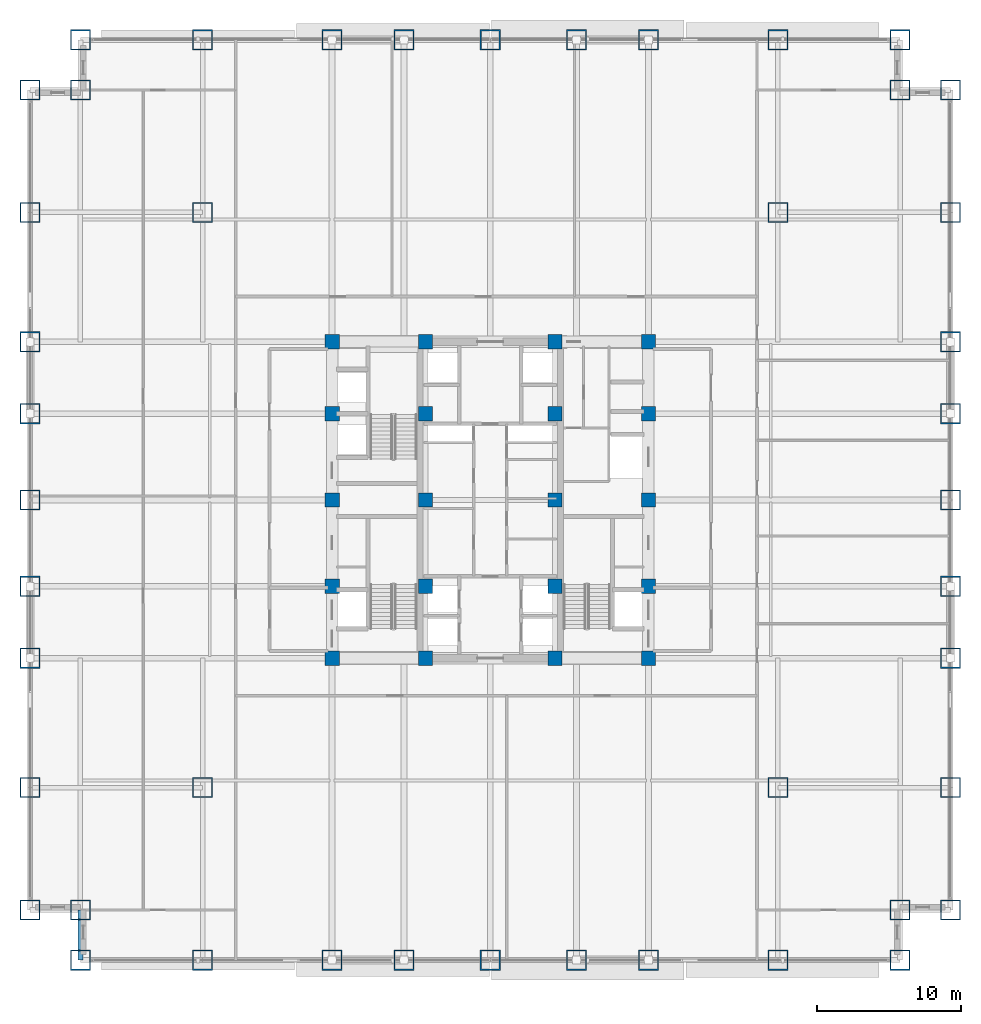
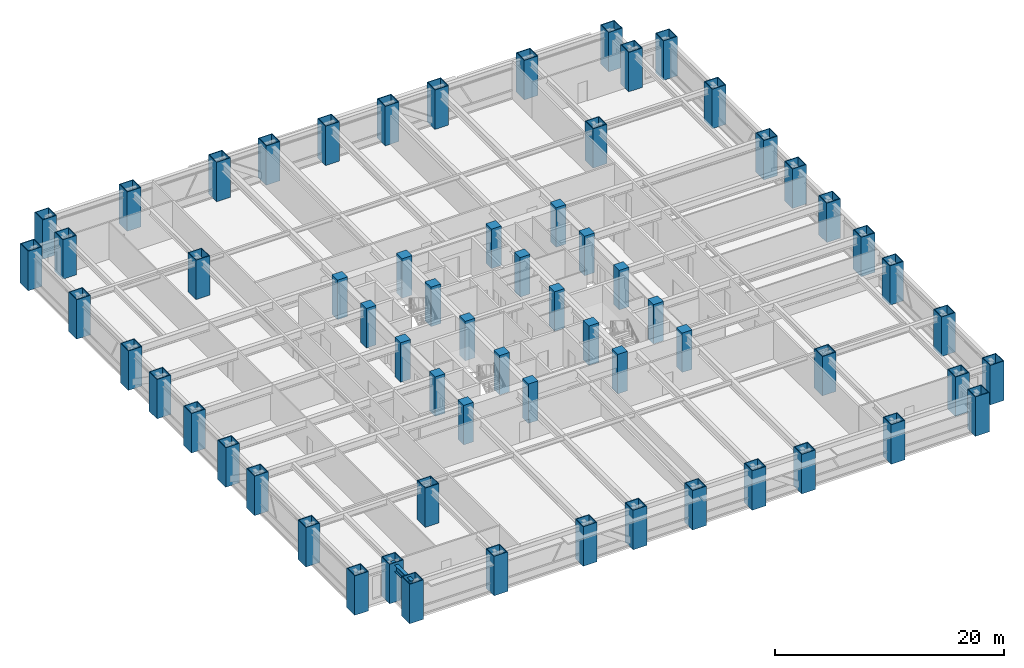
# One storey, part 1 of 32: 64 columns, 1 beam.
"""IFC4 building model written with IfcOpenShell, lengths in metres."""

import ifcopenshell
import ifcopenshell.guid

model = None  # the IFC model being written
_history = None  # IfcOwnerHistory: only IFC2X3 demands one
_inside = {}  # id of a spatial element -> (the spatial element, [elements in it])
_under = {}  # id of a project, library or spatial element -> (it, [spatial elements below it])
_declared = {}  # id of a project -> (the project, [libraries it declares])
_typed = {}  # id of a type object -> (the type object, [elements of that type])
_made_of = {}  # id of a material, layer set ... -> (it, [elements and type objects made of it])


def new_model(schema):
    """Start an empty IFC model of exactly this schema.

    Asked for "IFC4X3", IfcOpenShell would pick the latest addendum, in which some entities
    have other attributes; the version numbers below select the first issue.
    IFC2X3 requires an IfcOwnerHistory on every rooted entity: one is made here for all.
    """
    global model, _history
    if schema == "IFC4X3":
        model = ifcopenshell.file(schema_version=(4, 3, 0, 0))
    else:
        model = ifcopenshell.file(schema=schema)
    _inside.clear()
    _under.clear()
    _declared.clear()
    _typed.clear()
    _made_of.clear()
    _history = None
    if model.schema == "IFC2X3":
        org = make("IfcOrganization", Name="unknown")
        user = make(
            "IfcPersonAndOrganization",
            ThePerson=make("IfcPerson", FamilyName="unknown"),
            TheOrganization=org,
        )
        app = make(
            "IfcApplication",
            ApplicationDeveloper=org,
            Version="unknown",
            ApplicationFullName="unknown",
            ApplicationIdentifier="unknown",
        )
        _history = make(
            "IfcOwnerHistory",
            OwningUser=user,
            OwningApplication=app,
            ChangeAction="ADDED",
            CreationDate=0,
        )
    return model


def make(cls, **values):
    """One entity of the class cls with the attributes given. An attribute that is None is left unset."""
    return model.create_entity(
        cls, **{name: value for name, value in values.items() if value is not None}
    )


def rooted(cls, **values):
    """An entity with a GlobalId (a new one), such as an element, a storey or a relation."""
    return make(cls, GlobalId=ifcopenshell.guid.new(), OwnerHistory=_history, **values)


def si_unit(unit_type, name, prefix=None):
    """IfcSIUnit, for example si_unit("LENGTHUNIT", "METRE", prefix="MILLI")."""
    return make("IfcSIUnit", UnitType=unit_type, Prefix=prefix, Name=name)


def assignment(units):
    """IfcUnitAssignment: the units of a project."""
    return None if units is None else make("IfcUnitAssignment", Units=units)


def point(xyz):
    """IfcCartesianPoint."""
    return None if xyz is None else make("IfcCartesianPoint", Coordinates=xyz)


def direction(xyz):
    """IfcDirection."""
    return None if xyz is None else make("IfcDirection", DirectionRatios=xyz)


def frame(location, z_axis=None, x_axis=None):
    """IfcAxis2Placement3D, a coordinate frame: its origin and axes. An axis left out is left unset."""
    return make(
        "IfcAxis2Placement3D",
        Location=point(location),
        Axis=direction(z_axis),
        RefDirection=direction(x_axis),
    )


def frame_2d(location, x_axis=None):
    """IfcAxis2Placement2D, a coordinate frame in the plane: its origin and x axis."""
    return make(
        "IfcAxis2Placement2D", Location=point(location), RefDirection=direction(x_axis)
    )


def origin():
    """The frame at (0, 0, 0) with its axes left unset."""
    return frame((0.0, 0.0, 0.0))


def origin_2d():
    """The frame at (0, 0) in the plane with its x axis left unset."""
    return frame_2d((0.0, 0.0))


def place(relative_to, where):
    """IfcLocalPlacement: puts the frame where relative to a parent placement (None: the world)."""
    return make(
        "IfcLocalPlacement", PlacementRelTo=relative_to, RelativePlacement=where
    )


def context(
    kind, dimensions, precision=None, world=None, true_north=None, identifier=None
):
    """IfcGeometricRepresentationContext, for example the 3D "Model" context."""
    return make(
        "IfcGeometricRepresentationContext",
        ContextIdentifier=identifier,
        ContextType=kind,
        CoordinateSpaceDimension=dimensions,
        Precision=precision,
        WorldCoordinateSystem=world,
        TrueNorth=true_north,
    )


def subcontext(parent, identifier, kind, view, scale=None):
    """IfcGeometricRepresentationSubContext, for example "Body" below "Model"."""
    return make(
        "IfcGeometricRepresentationSubContext",
        ContextIdentifier=identifier,
        ContextType=kind,
        ParentContext=parent,
        TargetScale=scale,
        TargetView=view,
    )


def project(units=None, contexts=None):
    """IfcProject with its units and contexts."""
    return rooted(
        "IfcProject",
        Name="project",
        RepresentationContexts=contexts,
        UnitsInContext=assignment(units),
    )


def spatial(cls, under=None, at=None, **own):
    """A site, building, storey or space (cls), placed at a placement, below another one or the project."""
    s = rooted(cls, ObjectPlacement=at, **own)
    if under is not None:
        _under.setdefault(under.id(), (under, []))[1].append(s)
    return s


def profile(cls, at=None, kind="AREA", **sizes):
    """A parametric profile (cls). Its sizes go by their IFC names, for example OverallWidth=200.0."""
    return make(cls, ProfileType=kind, Position=at, **sizes)


def rectangle(**sizes):
    """IfcRectangleProfileDef."""
    return profile("IfcRectangleProfileDef", **sizes)


def hollow_rectangle(**sizes):
    """IfcRectangleHollowProfileDef."""
    return profile("IfcRectangleHollowProfileDef", **sizes)


def i_section(**sizes):
    """IfcIShapeProfileDef."""
    return profile("IfcIShapeProfileDef", **sizes)


def extrude(swept, where, along, depth):
    """IfcExtrudedAreaSolid: the profile swept, set in the frame where, extruded along a direction by depth."""
    return make(
        "IfcExtrudedAreaSolid",
        SweptArea=swept,
        Position=where,
        ExtrudedDirection=direction(along),
        Depth=depth,
    )


def shape(context_of_items, identifier, shape_type, items):
    """IfcShapeRepresentation: the items that make up one representation, for example the "Body"."""
    return make(
        "IfcShapeRepresentation",
        ContextOfItems=context_of_items,
        RepresentationIdentifier=identifier,
        RepresentationType=shape_type,
        Items=items,
    )


def source(mapping_origin, context_of_items, identifier, shape_type, items):
    """IfcRepresentationMap: a shape defined once, which mapped items show again and again."""
    return make(
        "IfcRepresentationMap",
        MappingOrigin=mapping_origin,
        MappedRepresentation=shape(context_of_items, identifier, shape_type, items),
    )


def transform(
    local_origin,
    x_axis=None,
    y_axis=None,
    z_axis=None,
    scale=None,
    scale2=None,
    scale3=None,
    uniform=True,
):
    """IfcCartesianTransformationOperator3D, or its non-uniform kind. x_axis, y_axis, z_axis: its Axis1, 2, 3."""
    if uniform:
        return make(
            "IfcCartesianTransformationOperator3D",
            Axis1=direction(x_axis),
            Axis2=direction(y_axis),
            LocalOrigin=point(local_origin),
            Scale=scale,
            Axis3=direction(z_axis),
        )
    return make(
        "IfcCartesianTransformationOperator3DnonUniform",
        Axis1=direction(x_axis),
        Axis2=direction(y_axis),
        LocalOrigin=point(local_origin),
        Scale=scale,
        Axis3=direction(z_axis),
        Scale2=scale2,
        Scale3=scale3,
    )


def mapped(mapping_source, mapping_target):
    """IfcMappedItem: shows the shape of a source again, moved by a transform."""
    return make(
        "IfcMappedItem", MappingSource=mapping_source, MappingTarget=mapping_target
    )


def material(Name=None, Category=None):
    """IfcMaterial."""
    return make("IfcMaterial", Name=Name, Category=Category)


def material_profile(
    of_material, cross_section, Name=None, Category=None, Priority=None
):
    """IfcMaterialProfile: a cross section and its material."""
    return make(
        "IfcMaterialProfile",
        Name=Name,
        Material=of_material,
        Profile=cross_section,
        Priority=Priority,
        Category=Category,
    )


def profile_set(profiles, Name=None, composite=None):
    """IfcMaterialProfileSet."""
    return make(
        "IfcMaterialProfileSet",
        Name=Name,
        MaterialProfiles=profiles,
        CompositeProfile=composite,
    )


def made_of(thing, what):
    """Note that an element or type object is made of a material, layer set ...; save() writes the relation."""
    if what is not None:
        _made_of.setdefault(what.id(), (what, []))[1].append(thing)
    return thing


def type_object(cls, material=None, **own):
    """A type object (cls), such as IfcWallType, which elements share."""
    return made_of(rooted(cls, **own), material)


def element(
    cls,
    number,
    at=None,
    inside=None,
    cuts=None,
    type_object=None,
    material=None,
    context=None,
    identifier="Body",
    shape_type=None,
    held_by="IfcProductDefinitionShape",
    body=None,
    shapes=None,
    **own,
):
    """One element of the class cls, such as IfcWall. Its Tag is "e" and its number.

    at: its placement. inside: the storey or other place that contains it. cuts: it is an
    opening in that element (IfcRelVoidsElement). A single representation is given by context,
    identifier, shape_type and body (its items); several are given by shapes. held_by: the class
    of the entity that holds the representations. save() writes the other relations.
    """
    e = rooted(cls, Tag="e%d" % number, ObjectPlacement=at, **own)
    if body is not None:
        shapes = [shape(context, identifier, shape_type, body)]
    if shapes is not None:
        e.Representation = make(held_by, Representations=shapes)
    if inside is not None:
        _inside.setdefault(inside.id(), (inside, []))[1].append(e)
    if cuts is not None:
        rooted(
            "IfcRelVoidsElement", RelatingBuildingElement=cuts, RelatedOpeningElement=e
        )
    if type_object is not None:
        _typed.setdefault(type_object.id(), (type_object, []))[1].append(e)
    return made_of(e, material)


def aggregate(whole, parts):
    """IfcRelAggregates: a whole, such as a stair, and the parts it consists of."""
    return rooted("IfcRelAggregates", RelatingObject=whole, RelatedObjects=parts)


def save(model, path):
    """Write the relations noted so far, then the file.

    IfcRelAggregates (storeys below a building ...), IfcRelContainedInSpatialStructure (elements
    in a storey), IfcRelDefinesByType, IfcRelAssociatesMaterial and IfcRelDeclares: one each for
    every whole, place, type object, material and project.
    """
    for whole, parts in _under.values():
        aggregate(whole, parts)
    for where, things in _inside.values():
        rooted(
            "IfcRelContainedInSpatialStructure",
            RelatedElements=things,
            RelatingStructure=where,
        )
    for kind, things in _typed.values():
        rooted("IfcRelDefinesByType", RelatedObjects=things, RelatingType=kind)
    for what, things in _made_of.values():
        rooted("IfcRelAssociatesMaterial", RelatedObjects=things, RelatingMaterial=what)
    for by, libraries in _declared.values():
        rooted("IfcRelDeclares", RelatingContext=by, RelatedDefinitions=libraries)
    model.write(path)


model = new_model("IFC4")

# Units and contexts
model_context = context("Model", 3, precision=1e-05, world=origin(), true_north=direction((0.0, 1.0)))
body_context = subcontext(model_context, "Body", "Model", "MODEL_VIEW")
ifc_project = project(units=[si_unit("LENGTHUNIT", "METRE"), si_unit("AREAUNIT", "SQUARE_METRE"), si_unit("VOLUMEUNIT", "CUBIC_METRE"), si_unit("PLANEANGLEUNIT", "RADIAN"), si_unit("MASSUNIT", "GRAM", prefix="KILO")], contexts=[model_context])

# Site, building, storey
site_placement = place(None, origin())
site = spatial("IfcSite", under=ifc_project, at=site_placement, CompositionType="ELEMENT")
building_placement = place(site_placement, origin())
building = spatial("IfcBuilding", under=site, at=building_placement, Name="Khorayat Bourse Tower", CompositionType="ELEMENT")
storey_placement = place(building_placement, frame((0.0, 0.0, 78.800048828125)))
storey = spatial("IfcBuildingStorey", under=building, at=storey_placement, Name="L17", CompositionType="ELEMENT", Elevation=78.800048828125)

# Columns
ifc_material_1 = material(Name="Steel EN 10025-4 S460M", Category="steel")
ifc_material_profile_1 = material_profile(ifc_material_1, hollow_rectangle(XDim=1.39990234375, YDim=1.39990234375, WallThickness=0.074951171875, at=origin_2d()), Name="BOX 1400x1400x75")
ifc_profile_set_1 = profile_set([ifc_material_profile_1], Name="Steel EN 10025-4 S460M")
column_type_1 = type_object("IfcColumnType", Name="COL-TUBE-1400", PredefinedType="COLUMN", material=ifc_profile_set_1)
shared_shape_1 = source(origin(), body_context, "Body", "SweptSolid", [
    extrude(hollow_rectangle(XDim=1.39990234375, YDim=1.39990234375, WallThickness=0.074951171875, at=origin_2d()), origin(), (0.0, 0.0, 1.0), 4.199951171875),
])
for number, where, z_axis, x_axis, name in (
    (1, (-32.0, -28.5, 0.0), (0.0, 0.0, 1.0), (1.0, 0.0, 0.0), "L17 Column 001"),
    (2, (-32.0, -20.0, 0.0), (0.0, 0.0, 1.0), (1.0, 0.0, 0.0), "L17 Column 002"),
    (3, (-32.0, -11.0, 0.0), (0.0, 0.0, 1.0), (1.0, 0.0, 0.0), "L17 Column 003"),
    (4, (-32.0, -6.0, 0.0), (0.0, 0.0, 1.0), (1.0, 0.0, 0.0), "L17 Column 004"),
    (5, (-32.0, 0.0, 0.0), (0.0, 0.0, 1.0), (1.0, 0.0, 0.0), "L17 Column 005"),
    (6, (-32.0, 6.0, 0.0), (0.0, 0.0, 1.0), (1.0, 0.0, 0.0), "L17 Column 006"),
    (7, (-32.0, 11.0, 0.0), (0.0, 0.0, 1.0), (1.0, 0.0, 0.0), "L17 Column 007"),
    (8, (-32.0, 20.0, 0.0), (0.0, 0.0, 1.0), (1.0, 0.0, 0.0), "L17 Column 008"),
    (9, (-32.0, 28.5, 0.0), (0.0, 0.0, 1.0), (1.0, 0.0, 0.0), "L17 Column 009"),
    (10, (-28.5, -32.0, 0.0), (0.0, 0.0, 1.0), (1.0, 0.0, 0.0), "L17 Column 010"),
    (11, (-28.5, -28.5, 0.0), (0.0, 0.0, 1.0), (1.0, 0.0, 0.0), "L17 Column 011"),
    (12, (-28.5, 28.5, 0.0), (0.0, 0.0, 1.0), (1.0, 0.0, 0.0), "L17 Column 012"),
    (13, (-28.5, 32.0, 0.0), (0.0, 0.0, 1.0), (1.0, 0.0, 0.0), "L17 Column 013"),
    (14, (-20.0, -32.0, 0.0), (0.0, 0.0, 1.0), (1.0, 0.0, 0.0), "L17 Column 014"),
    (15, (-20.0, -20.0, 0.0), (0.0, 0.0, 1.0), (1.0, 0.0, 0.0), "L17 Column 015"),
    (16, (-20.0, 20.0, 0.0), (0.0, 0.0, 1.0), (1.0, 0.0, 0.0), "L17 Column 016"),
    (17, (-20.0, 32.0, 0.0), (0.0, 0.0, 1.0), (1.0, 0.0, 0.0), "L17 Column 017"),
    (18, (-11.0, -32.0, 0.0), (0.0, 0.0, 1.0), (1.0, 0.0, 0.0), "L17 Column 018"),
    (19, (-11.0, 32.0, 0.0), (0.0, 0.0, 1.0), (1.0, 0.0, 0.0), "L17 Column 024"),
    (20, (-6.0, -32.0, 0.0), (0.0, 0.0, 1.0), (1.0, 0.0, 0.0), "L17 Column 025"),
    (21, (-6.0, 32.0, 0.0), (0.0, 0.0, 1.0), (1.0, 0.0, 0.0), "L17 Column 026"),
    (22, (0.0, -32.0, 0.0), (0.0, 0.0, 1.0), (1.0, 0.0, 0.0), "L17 Column 032"),
    (23, (0.0, 32.0, 0.0), (0.0, 0.0, 1.0), (1.0, 0.0, 0.0), "L17 Column 033"),
    (24, (6.0, -32.0, 0.0), (0.0, 0.0, 1.0), (1.0, 0.0, 0.0), "L17 Column 039"),
    (25, (6.0, 32.0, 0.0), (0.0, 0.0, 1.0), (1.0, 0.0, 0.0), "L17 Column 040"),
    (26, (11.0, -32.0, 0.0), (0.0, 0.0, 1.0), (1.0, 0.0, 0.0), "L17 Column 041"),
    (27, (11.0, 32.0, 0.0), (0.0, 0.0, 1.0), (1.0, 0.0, 0.0), "L17 Column 047"),
    (28, (20.0, -32.0, 0.0), (0.0, 0.0, 1.0), (1.0, 0.0, 0.0), "L17 Column 048"),
    (29, (20.0, -20.0, 0.0), (0.0, 0.0, 1.0), (1.0, 0.0, 0.0), "L17 Column 049"),
    (30, (20.0, 20.0, 0.0), (0.0, 0.0, 1.0), (1.0, 0.0, 0.0), "L17 Column 050"),
    (31, (20.0, 32.0, 0.0), (0.0, 0.0, 1.0), (1.0, 0.0, 0.0), "L17 Column 051"),
    (32, (28.5, -32.0, 0.0), (0.0, 0.0, 1.0), (1.0, 0.0, 0.0), "L17 Column 052"),
    (33, (28.5, -28.5, 0.0), (0.0, 0.0, 1.0), (1.0, 0.0, 0.0), "L17 Column 053"),
    (34, (28.5, 28.5, 0.0), (0.0, 0.0, 1.0), (1.0, 0.0, 0.0), "L17 Column 054"),
    (35, (28.5, 32.0, 0.0), (0.0, 0.0, 1.0), (1.0, 0.0, 0.0), "L17 Column 055"),
    (36, (32.0, -28.5, 0.0), (0.0, 0.0, 1.0), (1.0, 0.0, 0.0), "L17 Column 056"),
    (37, (32.0, -20.0, 0.0), (0.0, 0.0, 1.0), (1.0, 0.0, 0.0), "L17 Column 057"),
    (38, (32.0, -11.0, 0.0), (0.0, 0.0, 1.0), (1.0, 0.0, 0.0), "L17 Column 058"),
    (39, (32.0, -6.0, 0.0), (0.0, 0.0, 1.0), (1.0, 0.0, 0.0), "L17 Column 059"),
    (40, (32.0, 0.0, 0.0), (0.0, 0.0, 1.0), (1.0, 0.0, 0.0), "L17 Column 060"),
    (41, (32.0, 6.0, 0.0), (0.0, 0.0, 1.0), (1.0, 0.0, 0.0), "L17 Column 061"),
    (42, (32.0, 11.0, 0.0), (0.0, 0.0, 1.0), (1.0, 0.0, 0.0), "L17 Column 062"),
    (43, (32.0, 20.0, 0.0), (0.0, 0.0, 1.0), (1.0, 0.0, 0.0), "L17 Column 063"),
    (44, (32.0, 28.5, 0.0), (0.0, 0.0, 1.0), (1.0, 0.0, 0.0), "L17 Column 064"),
):
    element("IfcColumn", number, at=place(storey_placement, frame(where, z_axis=z_axis, x_axis=x_axis)), inside=storey, type_object=column_type_1, Name=name, PredefinedType="COLUMN", context=body_context, shape_type="MappedRepresentation", body=[
        mapped(shared_shape_1, transform((0.0, 0.0, 0.0), scale=1.0)),
    ])
ifc_material_2 = material(Name="Concrete C72/90", Category="concrete")
ifc_material_profile_2 = material_profile(ifc_material_2, rectangle(XDim=1.0, YDim=1.0, at=origin_2d()), Name="RC 1000x1000")
ifc_profile_set_2 = profile_set([ifc_material_profile_2], Name="Concrete C72/90")
column_type_2 = type_object("IfcColumnType", Name="COL-CORE-1000", PredefinedType="COLUMN", material=ifc_profile_set_2)
shared_shape_2 = source(origin(), body_context, "Body", "SweptSolid", [
    extrude(rectangle(XDim=1.0, YDim=1.0, at=origin_2d()), origin(), (0.0, 0.0, 1.0), 4.199951171875),
])
for number, where, z_axis, x_axis, name in (
    (45, (-11.0, -11.0, 0.0), (0.0, 0.0, 1.0), (1.0, 0.0, 0.0), "L17 Column 019"),
    (46, (-11.0, -6.0, 0.0), (0.0, 0.0, 1.0), (1.0, 0.0, 0.0), "L17 Column 020"),
    (47, (-11.0, 0.0, 0.0), (0.0, 0.0, 1.0), (1.0, 0.0, 0.0), "L17 Column 021"),
    (48, (-11.0, 6.0, 0.0), (0.0, 0.0, 1.0), (1.0, 0.0, 0.0), "L17 Column 022"),
    (49, (-11.0, 11.0, 0.0), (0.0, 0.0, 1.0), (1.0, 0.0, 0.0), "L17 Column 023"),
    (50, (-4.5, -11.0, 0.0), (0.0, 0.0, 1.0), (1.0, 0.0, 0.0), "L17 Column 027"),
    (51, (-4.5, -6.0, 0.0), (0.0, 0.0, 1.0), (1.0, 0.0, 0.0), "L17 Column 028"),
    (52, (-4.5, 0.0, 0.0), (0.0, 0.0, 1.0), (1.0, 0.0, 0.0), "L17 Column 029"),
    (53, (-4.5, 6.0, 0.0), (0.0, 0.0, 1.0), (1.0, 0.0, 0.0), "L17 Column 030"),
    (54, (-4.5, 11.0, 0.0), (0.0, 0.0, 1.0), (1.0, 0.0, 0.0), "L17 Column 031"),
    (55, (4.5, -11.0, 0.0), (0.0, 0.0, 1.0), (1.0, 0.0, 0.0), "L17 Column 034"),
    (56, (4.5, -6.0, 0.0), (0.0, 0.0, 1.0), (1.0, 0.0, 0.0), "L17 Column 035"),
    (57, (4.5, 0.0, 0.0), (0.0, 0.0, 1.0), (1.0, 0.0, 0.0), "L17 Column 036"),
    (58, (4.5, 6.0, 0.0), (0.0, 0.0, 1.0), (1.0, 0.0, 0.0), "L17 Column 037"),
    (59, (4.5, 11.0, 0.0), (0.0, 0.0, 1.0), (1.0, 0.0, 0.0), "L17 Column 038"),
    (60, (11.0, -11.0, 0.0), (0.0, 0.0, 1.0), (1.0, 0.0, 0.0), "L17 Column 042"),
    (61, (11.0, -6.0, 0.0), (0.0, 0.0, 1.0), (1.0, 0.0, 0.0), "L17 Column 043"),
    (62, (11.0, 0.0, 0.0), (0.0, 0.0, 1.0), (1.0, 0.0, 0.0), "L17 Column 044"),
    (63, (11.0, 6.0, 0.0), (0.0, 0.0, 1.0), (1.0, 0.0, 0.0), "L17 Column 045"),
    (64, (11.0, 11.0, 0.0), (0.0, 0.0, 1.0), (1.0, 0.0, 0.0), "L17 Column 046"),
):
    element("IfcColumn", number, at=place(storey_placement, frame(where, z_axis=z_axis, x_axis=x_axis)), inside=storey, type_object=column_type_2, Name=name, PredefinedType="COLUMN", context=body_context, shape_type="MappedRepresentation", body=[
        mapped(shared_shape_2, transform((0.0, 0.0, 0.0), scale=1.0)),
    ])

# Beam
ifc_material_3 = material(Name="Steel ASTM A992 Grade 50", Category="steel")
ifc_material_profile_3 = material_profile(ifc_material_3, i_section(OverallWidth=0.35498046875, OverallDepth=0.695068359375, WebThickness=0.015380859375, FlangeThickness=0.02490234375, FilletRadius=0.01806640625, at=origin_2d()), Name="W690X217")
ifc_profile_set_3 = profile_set([ifc_material_profile_3], Name="Steel ASTM A992 Grade 50")
beam_type = type_object("IfcBeamType", Name="BM-SPAN-690", PredefinedType="SPANDREL", material=ifc_profile_set_3)
shared_shape_3 = source(origin(), body_context, "Body", "SweptSolid", [
    extrude(i_section(OverallWidth=0.35498046875, OverallDepth=0.695068359375, WebThickness=0.015380859375, FlangeThickness=0.02490234375, FilletRadius=0.01806640625, at=origin_2d()), origin(), (0.0, 0.0, 1.0), 3.5),
])
beam_placement = place(storey_placement, frame((-28.5, -32.0, 3.592529296875), z_axis=(0.0, 1.0, 0.0), x_axis=(-1.0, 0.0, 0.0)))
element("IfcBeam", 65, at=beam_placement, inside=storey, type_object=beam_type, Name="L17 BM-SPAN-690 BM-L17-SPN-063", PredefinedType="SPANDREL", context=body_context, shape_type="MappedRepresentation", body=[
    mapped(shared_shape_3, transform((0.0, 0.0, 0.0), scale=1.0)),
])

save(model, "model.ifc")
